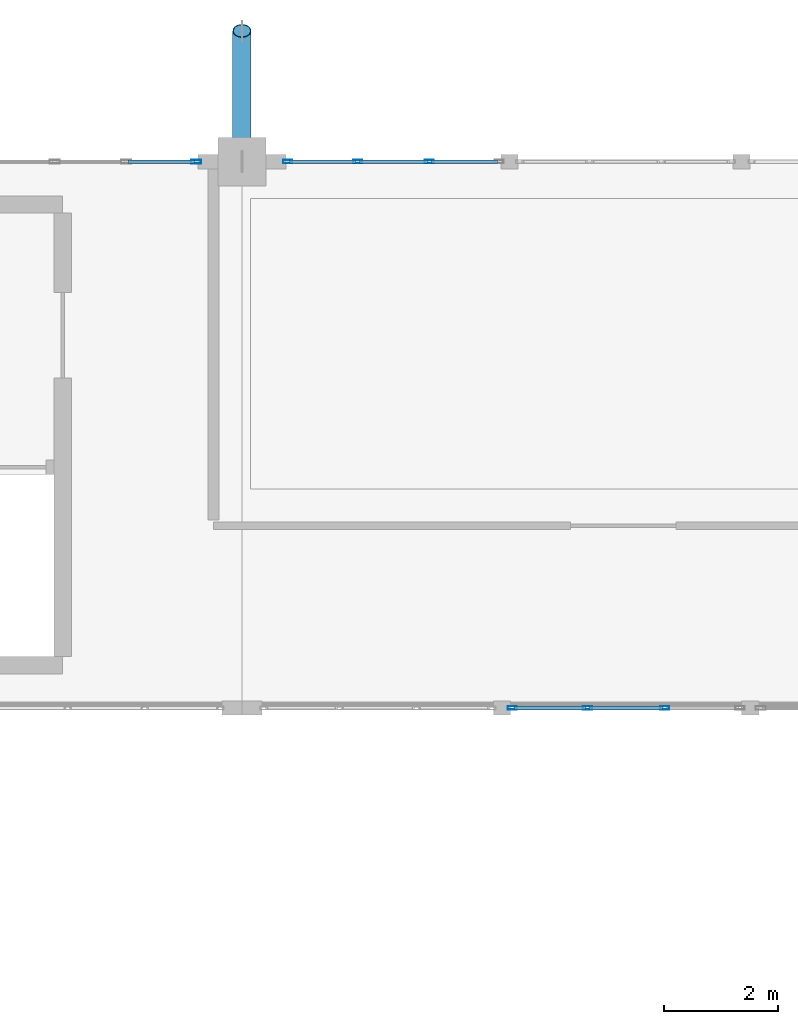
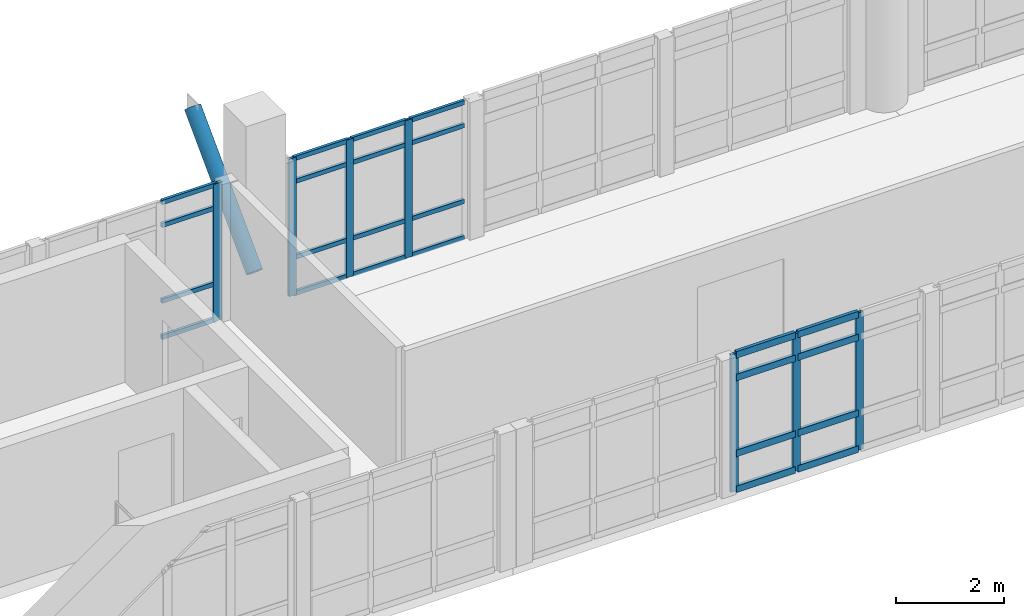
# One storey, part 12 of 37: 32 members, 3 elements without a shape of their own.
"""IFC4 building model written with IfcOpenShell, lengths in metres."""

from ifc_helpers import new_model, si_unit, direction, frame, origin, origin_2d, place, context, subcontext, project, spatial, hollow_rectangle, hollow_circle, extrude, material, layer, layer_set, material_profile, profile_set, type_object, element, aggregate, save


model = new_model("IFC4")

# Units and contexts
model_context = context("Model", 3, precision=1e-05, world=origin(), true_north=direction((0.0, 1.0)))
body_context = subcontext(model_context, "Body", "Model", "MODEL_VIEW")
ifc_project = project(units=[si_unit("LENGTHUNIT", "METRE"), si_unit("AREAUNIT", "SQUARE_METRE"), si_unit("VOLUMEUNIT", "CUBIC_METRE"), si_unit("PLANEANGLEUNIT", "RADIAN"), si_unit("MASSUNIT", "GRAM", prefix="KILO")], contexts=[model_context])

# Site, building, storey
site_placement = place(None, origin())
site = spatial("IfcSite", under=ifc_project, at=site_placement, CompositionType="ELEMENT")
building_placement = place(site_placement, origin())
building = spatial("IfcBuilding", under=site, at=building_placement, Name="Fikremerkos Civic Library", CompositionType="ELEMENT")
storey_placement = place(building_placement, frame((0.0, 0.0, 23.39990234375)))
storey = spatial("IfcBuildingStorey", under=building, at=storey_placement, Name="L05", CompositionType="ELEMENT", Elevation=23.39990234375)

# Curtain wall, member
ifc_material_1 = material(Name="Anodized aluminium Frame", Category="aluminium")
ifc_layer_1 = layer(ifc_material_1, 0.159912109375, Name="Anodized aluminium Frame")
ifc_layer_set_1 = layer_set([ifc_layer_1], Name="Anodized aluminium Frame")
curtain_wall_type_1 = type_object("IfcCurtainWallType", Name="Unitised curtain wall CW-13 3700x3200", PredefinedType="USERDEFINED", material=ifc_layer_set_1)
curtain_wall_1_placement = place(storey_placement, origin())
curtain_wall_1 = element("IfcCurtainWall", 1, at=curtain_wall_1_placement, inside=storey, type_object=curtain_wall_type_1, Name="Unitised curtain wall CW-13 L05 #265", ObjectType="UNITISED CURTAIN WALL", PredefinedType="USERDEFINED")
ifc_material_profile_1 = material_profile(ifc_material_1, hollow_rectangle(XDim=0.06494140625, YDim=0.179931640625, WallThickness=0.00439453125, at=origin_2d()), Name="ALU 180x65x4.5")
ifc_profile_set_1 = profile_set([ifc_material_profile_1], Name="Anodized aluminium Frame")
member_type_1 = type_object("IfcMemberType", Name="Curtain mullion CWM-01 ALU 180x65x4.5", PredefinedType="MULLION", material=ifc_profile_set_1)
member_1_placement = place(storey_placement, frame((58.89453125, 31.199951171875, 0.0), z_axis=(0.0, 0.0, 1.0), x_axis=(0.0, 1.0, 0.0)))
member_1 = element("IfcMember", 2, at=member_1_placement, type_object=member_type_1, Name="CW-13 mullion 4", PredefinedType="MULLION", context=body_context, shape_type="SweptSolid", body=[
    extrude(hollow_rectangle(XDim=0.06494140625, YDim=0.179931640625, WallThickness=0.00439453125, at=origin_2d()), origin(), (0.0, 0.0, 1.0), 3.1201171875),
])

# Curtain wall, members
ifc_layer_2 = layer(ifc_material_1, 0.159912109375, Name="Anodized aluminium Frame")
ifc_layer_set_2 = layer_set([ifc_layer_2], Name="Anodized aluminium Frame")
curtain_wall_type_2 = type_object("IfcCurtainWallType", Name="Unitised curtain wall CW-14 4100x3200", PredefinedType="USERDEFINED", material=ifc_layer_set_2)
curtain_wall_2_placement = place(storey_placement, origin())
curtain_wall_2 = element("IfcCurtainWall", 3, at=curtain_wall_2_placement, inside=storey, type_object=curtain_wall_type_2, Name="Unitised curtain wall CW-14 L05 #266", ObjectType="UNITISED CURTAIN WALL", PredefinedType="USERDEFINED")
ifc_material_profile_2 = material_profile(ifc_material_1, hollow_rectangle(XDim=0.06005859375, YDim=0.159912109375, WallThickness=0.00390625, at=origin_2d()), Name="ALU 160x60x4")
ifc_profile_set_2 = profile_set([ifc_material_profile_2], Name="Anodized aluminium Frame")
member_type_2 = type_object("IfcMemberType", Name="Curtain mullion CWM-02 ALU 160x60x4", PredefinedType="MULLION", material=ifc_profile_set_2)
member_2_placement = place(storey_placement, frame((60.5029296875, 31.199951171875, 0.0), z_axis=(0.0, 0.0, 1.0), x_axis=(0.0, 1.0, 0.0)))
member_2 = element("IfcMember", 4, at=member_2_placement, type_object=member_type_2, Name="CW-14 mullion 1", PredefinedType="MULLION", context=body_context, shape_type="SweptSolid", body=[
    extrude(hollow_rectangle(XDim=0.06005859375, YDim=0.159912109375, WallThickness=0.00390625, at=origin_2d()), origin(), (0.0, 0.0, 1.0), 3.1201171875),
])
member_3_placement = place(storey_placement, frame((61.731689453125, 31.199951171875, 0.0), z_axis=(0.0, 0.0, 1.0), x_axis=(0.0, 1.0, 0.0)))
member_3 = element("IfcMember", 5, at=member_3_placement, type_object=member_type_2, Name="CW-14 mullion 2", PredefinedType="MULLION", context=body_context, shape_type="SweptSolid", body=[
    extrude(hollow_rectangle(XDim=0.06005859375, YDim=0.159912109375, WallThickness=0.00390625, at=origin_2d()), origin(), (0.0, 0.0, 1.0), 3.1201171875),
])
member_4_placement = place(storey_placement, frame((62.990478515625, 31.199951171875, 0.0), z_axis=(0.0, 0.0, 1.0), x_axis=(0.0, 1.0, 0.0)))
member_4 = element("IfcMember", 6, at=member_4_placement, type_object=member_type_2, Name="CW-14 mullion 3", PredefinedType="MULLION", context=body_context, shape_type="SweptSolid", body=[
    extrude(hollow_rectangle(XDim=0.06005859375, YDim=0.159912109375, WallThickness=0.00390625, at=origin_2d()), origin(), (0.0, 0.0, 1.0), 3.1201171875),
])

ifc_layer_3 = layer(ifc_material_1, 0.159912109375, Name="Anodized aluminium Frame")
ifc_layer_set_3 = layer_set([ifc_layer_3], Name="Anodized aluminium Frame")
curtain_wall_type_3 = type_object("IfcCurtainWallType", Name="Unitised curtain wall CW-02 3900x3600", PredefinedType="USERDEFINED", material=ifc_layer_set_3)
curtain_wall_3_placement = place(storey_placement, origin())
curtain_wall_3 = element("IfcCurtainWall", 7, at=curtain_wall_3_placement, inside=storey, type_object=curtain_wall_type_3, Name="Unitised curtain wall CW-02 L05 #290", ObjectType="UNITISED CURTAIN WALL", PredefinedType="USERDEFINED")
member_5_placement = place(storey_placement, frame((67.12744140625, 21.60009765625, 0.0), z_axis=(0.0, 0.0, 1.0), x_axis=(0.0, -1.0, 0.0)))
member_5 = element("IfcMember", 8, at=member_5_placement, type_object=member_type_2, Name="CW-02 mullion 2", PredefinedType="MULLION", context=body_context, shape_type="SweptSolid", body=[
    extrude(hollow_rectangle(XDim=0.06005859375, YDim=0.159912109375, WallThickness=0.00390625, at=origin_2d()), origin(), (0.0, 0.0, 1.0), 3.1201171875),
])
member_6_placement = place(storey_placement, frame((65.7724609375, 21.60009765625, 0.0), z_axis=(0.0, 0.0, 1.0), x_axis=(0.0, -1.0, 0.0)))
member_6 = element("IfcMember", 9, at=member_6_placement, type_object=member_type_2, Name="CW-02 mullion 3", PredefinedType="MULLION", context=body_context, shape_type="SweptSolid", body=[
    extrude(hollow_rectangle(XDim=0.06005859375, YDim=0.159912109375, WallThickness=0.00390625, at=origin_2d()), origin(), (0.0, 0.0, 1.0), 3.1201171875),
])
member_7_placement = place(storey_placement, frame((64.447265625, 21.60009765625, 0.0), z_axis=(0.0, 0.0, 1.0), x_axis=(0.0, -1.0, 0.0)))
member_7 = element("IfcMember", 10, at=member_7_placement, type_object=member_type_2, Name="CW-02 mullion 4", PredefinedType="MULLION", context=body_context, shape_type="SweptSolid", body=[
    extrude(hollow_rectangle(XDim=0.06005859375, YDim=0.159912109375, WallThickness=0.00390625, at=origin_2d()), origin(), (0.0, 0.0, 1.0), 3.1201171875),
])
ifc_material_profile_3 = material_profile(ifc_material_1, hollow_rectangle(XDim=0.070068359375, YDim=0.14990234375, WallThickness=0.00439453125, at=origin_2d()), Name="ALU 150x70x4.5")
ifc_profile_set_3 = profile_set([ifc_material_profile_3], Name="Anodized aluminium Frame")
member_type_3 = type_object("IfcMemberType", Name="Curtain transom CWT-01 ALU 150x70x4.5", PredefinedType="USERDEFINED", material=ifc_profile_set_3)
member_8_placement = place(storey_placement, frame((67.09765625, 21.60009765625, 0.03515625), z_axis=(-1.0, 0.0, 0.0), x_axis=(0.0, -1.0, 0.0)))
member_8 = element("IfcMember", 11, at=member_8_placement, type_object=member_type_3, Name="CW-02 transom 2.1", ObjectType="TRANSOM", PredefinedType="USERDEFINED", context=body_context, shape_type="SweptSolid", body=[
    extrude(hollow_rectangle(XDim=0.070068359375, YDim=0.14990234375, WallThickness=0.00439453125, at=origin_2d()), origin(), (0.0, 0.0, 1.0), 1.295166015625),
])
member_9_placement = place(storey_placement, frame((67.09765625, 21.60009765625, 0.85009765625), z_axis=(-1.0, 0.0, 0.0), x_axis=(0.0, -1.0, 0.0)))
member_9 = element("IfcMember", 12, at=member_9_placement, type_object=member_type_3, Name="CW-02 transom 2.2", ObjectType="TRANSOM", PredefinedType="USERDEFINED", context=body_context, shape_type="SweptSolid", body=[
    extrude(hollow_rectangle(XDim=0.070068359375, YDim=0.14990234375, WallThickness=0.00439453125, at=origin_2d()), origin(), (0.0, 0.0, 1.0), 1.295166015625),
])
member_10_placement = place(storey_placement, frame((67.09765625, 21.60009765625, 2.570068359375), z_axis=(-1.0, 0.0, 0.0), x_axis=(0.0, -1.0, 0.0)))
member_10 = element("IfcMember", 13, at=member_10_placement, type_object=member_type_3, Name="CW-02 transom 2.3", ObjectType="TRANSOM", PredefinedType="USERDEFINED", context=body_context, shape_type="SweptSolid", body=[
    extrude(hollow_rectangle(XDim=0.070068359375, YDim=0.14990234375, WallThickness=0.00439453125, at=origin_2d()), origin(), (0.0, 0.0, 1.0), 1.295166015625),
])
member_11_placement = place(storey_placement, frame((67.09765625, 21.60009765625, 3.085205078125), z_axis=(-1.0, 0.0, 0.0), x_axis=(0.0, -1.0, 0.0)))
member_11 = element("IfcMember", 14, at=member_11_placement, type_object=member_type_3, Name="CW-02 transom 2.4", ObjectType="TRANSOM", PredefinedType="USERDEFINED", context=body_context, shape_type="SweptSolid", body=[
    extrude(hollow_rectangle(XDim=0.070068359375, YDim=0.14990234375, WallThickness=0.00439453125, at=origin_2d()), origin(), (0.0, 0.0, 1.0), 1.295166015625),
])
member_12_placement = place(storey_placement, frame((65.742431640625, 21.60009765625, 0.03515625), z_axis=(-1.0, 0.0, 0.0), x_axis=(0.0, -1.0, 0.0)))
member_12 = element("IfcMember", 15, at=member_12_placement, type_object=member_type_3, Name="CW-02 transom 3.1", ObjectType="TRANSOM", PredefinedType="USERDEFINED", context=body_context, shape_type="SweptSolid", body=[
    extrude(hollow_rectangle(XDim=0.070068359375, YDim=0.14990234375, WallThickness=0.00439453125, at=origin_2d()), origin(), (0.0, 0.0, 1.0), 1.26513671875),
])
member_13_placement = place(storey_placement, frame((65.742431640625, 21.60009765625, 0.85009765625), z_axis=(-1.0, 0.0, 0.0), x_axis=(0.0, -1.0, 0.0)))
member_13 = element("IfcMember", 16, at=member_13_placement, type_object=member_type_3, Name="CW-02 transom 3.2", ObjectType="TRANSOM", PredefinedType="USERDEFINED", context=body_context, shape_type="SweptSolid", body=[
    extrude(hollow_rectangle(XDim=0.070068359375, YDim=0.14990234375, WallThickness=0.00439453125, at=origin_2d()), origin(), (0.0, 0.0, 1.0), 1.26513671875),
])
member_14_placement = place(storey_placement, frame((65.742431640625, 21.60009765625, 2.570068359375), z_axis=(-1.0, 0.0, 0.0), x_axis=(0.0, -1.0, 0.0)))
member_14 = element("IfcMember", 17, at=member_14_placement, type_object=member_type_3, Name="CW-02 transom 3.3", ObjectType="TRANSOM", PredefinedType="USERDEFINED", context=body_context, shape_type="SweptSolid", body=[
    extrude(hollow_rectangle(XDim=0.070068359375, YDim=0.14990234375, WallThickness=0.00439453125, at=origin_2d()), origin(), (0.0, 0.0, 1.0), 1.26513671875),
])
member_15_placement = place(storey_placement, frame((65.742431640625, 21.60009765625, 3.085205078125), z_axis=(-1.0, 0.0, 0.0), x_axis=(0.0, -1.0, 0.0)))
member_15 = element("IfcMember", 18, at=member_15_placement, type_object=member_type_3, Name="CW-02 transom 3.4", ObjectType="TRANSOM", PredefinedType="USERDEFINED", context=body_context, shape_type="SweptSolid", body=[
    extrude(hollow_rectangle(XDim=0.070068359375, YDim=0.14990234375, WallThickness=0.00439453125, at=origin_2d()), origin(), (0.0, 0.0, 1.0), 1.26513671875),
])
aggregate(curtain_wall_3, [member_5, member_6, member_7, member_8, member_9, member_10, member_11, member_12, member_13, member_14, member_15])

# Member
ifc_material_profile_4 = material_profile(ifc_material_1, hollow_rectangle(XDim=0.06005859375, YDim=0.10009765625, WallThickness=0.00390625, at=origin_2d()), Name="ALU 100x60x4")
ifc_profile_set_4 = profile_set([ifc_material_profile_4], Name="Anodized aluminium Frame")
member_type_4 = type_object("IfcMemberType", Name="Curtain transom CWT-03 ALU 100x60x4", PredefinedType="USERDEFINED", material=ifc_profile_set_4)
member_16_placement = place(storey_placement, frame((57.70068359375, 31.199951171875, 0.030029296875), z_axis=(1.0, 0.0, 0.0), x_axis=(0.0, 1.0, 0.0)))
member_16 = element("IfcMember", 19, at=member_16_placement, type_object=member_type_4, Name="CW-13 transom 3.1", ObjectType="TRANSOM", PredefinedType="USERDEFINED", context=body_context, shape_type="SweptSolid", body=[
    extrude(hollow_rectangle(XDim=0.06005859375, YDim=0.10009765625, WallThickness=0.00390625, at=origin_2d()), origin(), (0.0, 0.0, 1.0), 1.161376953125),
])

member_17_placement = place(storey_placement, frame((57.70068359375, 31.199951171875, 0.85009765625), z_axis=(1.0, 0.0, 0.0), x_axis=(0.0, 1.0, 0.0)))
member_17 = element("IfcMember", 20, at=member_17_placement, type_object=member_type_4, Name="CW-13 transom 3.2", ObjectType="TRANSOM", PredefinedType="USERDEFINED", context=body_context, shape_type="SweptSolid", body=[
    extrude(hollow_rectangle(XDim=0.06005859375, YDim=0.10009765625, WallThickness=0.00390625, at=origin_2d()), origin(), (0.0, 0.0, 1.0), 1.161376953125),
])

member_18_placement = place(storey_placement, frame((57.70068359375, 31.199951171875, 2.570068359375), z_axis=(1.0, 0.0, 0.0), x_axis=(0.0, 1.0, 0.0)))
member_18 = element("IfcMember", 21, at=member_18_placement, type_object=member_type_4, Name="CW-13 transom 3.3", ObjectType="TRANSOM", PredefinedType="USERDEFINED", context=body_context, shape_type="SweptSolid", body=[
    extrude(hollow_rectangle(XDim=0.06005859375, YDim=0.10009765625, WallThickness=0.00390625, at=origin_2d()), origin(), (0.0, 0.0, 1.0), 1.161376953125),
])

member_19_placement = place(storey_placement, frame((57.70068359375, 31.199951171875, 3.090087890625), z_axis=(1.0, 0.0, 0.0), x_axis=(0.0, 1.0, 0.0)))
member_19 = element("IfcMember", 22, at=member_19_placement, type_object=member_type_4, Name="CW-13 transom 3.4", ObjectType="TRANSOM", PredefinedType="USERDEFINED", context=body_context, shape_type="SweptSolid", body=[
    extrude(hollow_rectangle(XDim=0.06005859375, YDim=0.10009765625, WallThickness=0.00390625, at=origin_2d()), origin(), (0.0, 0.0, 1.0), 1.161376953125),
])

aggregate(curtain_wall_1, [member_1, member_16, member_17, member_18, member_19])

member_20_placement = place(storey_placement, frame((60.532958984375, 31.199951171875, 0.030029296875), z_axis=(1.0, 0.0, 0.0), x_axis=(0.0, 1.0, 0.0)))
member_20 = element("IfcMember", 23, at=member_20_placement, type_object=member_type_4, Name="CW-14 transom 1.1", ObjectType="TRANSOM", PredefinedType="USERDEFINED", context=body_context, shape_type="SweptSolid", body=[
    extrude(hollow_rectangle(XDim=0.06005859375, YDim=0.10009765625, WallThickness=0.00390625, at=origin_2d()), origin(), (0.0, 0.0, 1.0), 1.168701171875),
])

member_21_placement = place(storey_placement, frame((60.532958984375, 31.199951171875, 0.85009765625), z_axis=(1.0, 0.0, 0.0), x_axis=(0.0, 1.0, 0.0)))
member_21 = element("IfcMember", 24, at=member_21_placement, type_object=member_type_4, Name="CW-14 transom 1.2", ObjectType="TRANSOM", PredefinedType="USERDEFINED", context=body_context, shape_type="SweptSolid", body=[
    extrude(hollow_rectangle(XDim=0.06005859375, YDim=0.10009765625, WallThickness=0.00390625, at=origin_2d()), origin(), (0.0, 0.0, 1.0), 1.168701171875),
])

member_22_placement = place(storey_placement, frame((60.532958984375, 31.199951171875, 2.570068359375), z_axis=(1.0, 0.0, 0.0), x_axis=(0.0, 1.0, 0.0)))
member_22 = element("IfcMember", 25, at=member_22_placement, type_object=member_type_4, Name="CW-14 transom 1.3", ObjectType="TRANSOM", PredefinedType="USERDEFINED", context=body_context, shape_type="SweptSolid", body=[
    extrude(hollow_rectangle(XDim=0.06005859375, YDim=0.10009765625, WallThickness=0.00390625, at=origin_2d()), origin(), (0.0, 0.0, 1.0), 1.168701171875),
])

member_23_placement = place(storey_placement, frame((60.532958984375, 31.199951171875, 3.090087890625), z_axis=(1.0, 0.0, 0.0), x_axis=(0.0, 1.0, 0.0)))
member_23 = element("IfcMember", 26, at=member_23_placement, type_object=member_type_4, Name="CW-14 transom 1.4", ObjectType="TRANSOM", PredefinedType="USERDEFINED", context=body_context, shape_type="SweptSolid", body=[
    extrude(hollow_rectangle(XDim=0.06005859375, YDim=0.10009765625, WallThickness=0.00390625, at=origin_2d()), origin(), (0.0, 0.0, 1.0), 1.168701171875),
])

member_24_placement = place(storey_placement, frame((61.76171875, 31.199951171875, 0.030029296875), z_axis=(1.0, 0.0, 0.0), x_axis=(0.0, 1.0, 0.0)))
member_24 = element("IfcMember", 27, at=member_24_placement, type_object=member_type_4, Name="CW-14 transom 2.1", ObjectType="TRANSOM", PredefinedType="USERDEFINED", context=body_context, shape_type="SweptSolid", body=[
    extrude(hollow_rectangle(XDim=0.06005859375, YDim=0.10009765625, WallThickness=0.00390625, at=origin_2d()), origin(), (0.0, 0.0, 1.0), 1.19873046875),
])

member_25_placement = place(storey_placement, frame((61.76171875, 31.199951171875, 0.85009765625), z_axis=(1.0, 0.0, 0.0), x_axis=(0.0, 1.0, 0.0)))
member_25 = element("IfcMember", 28, at=member_25_placement, type_object=member_type_4, Name="CW-14 transom 2.2", ObjectType="TRANSOM", PredefinedType="USERDEFINED", context=body_context, shape_type="SweptSolid", body=[
    extrude(hollow_rectangle(XDim=0.06005859375, YDim=0.10009765625, WallThickness=0.00390625, at=origin_2d()), origin(), (0.0, 0.0, 1.0), 1.19873046875),
])

member_26_placement = place(storey_placement, frame((61.76171875, 31.199951171875, 2.570068359375), z_axis=(1.0, 0.0, 0.0), x_axis=(0.0, 1.0, 0.0)))
member_26 = element("IfcMember", 29, at=member_26_placement, type_object=member_type_4, Name="CW-14 transom 2.3", ObjectType="TRANSOM", PredefinedType="USERDEFINED", context=body_context, shape_type="SweptSolid", body=[
    extrude(hollow_rectangle(XDim=0.06005859375, YDim=0.10009765625, WallThickness=0.00390625, at=origin_2d()), origin(), (0.0, 0.0, 1.0), 1.19873046875),
])

member_27_placement = place(storey_placement, frame((61.76171875, 31.199951171875, 3.090087890625), z_axis=(1.0, 0.0, 0.0), x_axis=(0.0, 1.0, 0.0)))
member_27 = element("IfcMember", 30, at=member_27_placement, type_object=member_type_4, Name="CW-14 transom 2.4", ObjectType="TRANSOM", PredefinedType="USERDEFINED", context=body_context, shape_type="SweptSolid", body=[
    extrude(hollow_rectangle(XDim=0.06005859375, YDim=0.10009765625, WallThickness=0.00390625, at=origin_2d()), origin(), (0.0, 0.0, 1.0), 1.19873046875),
])

member_28_placement = place(storey_placement, frame((63.0205078125, 31.199951171875, 0.030029296875), z_axis=(1.0, 0.0, 0.0), x_axis=(0.0, 1.0, 0.0)))
member_28 = element("IfcMember", 31, at=member_28_placement, type_object=member_type_4, Name="CW-14 transom 3.1", ObjectType="TRANSOM", PredefinedType="USERDEFINED", context=body_context, shape_type="SweptSolid", body=[
    extrude(hollow_rectangle(XDim=0.06005859375, YDim=0.10009765625, WallThickness=0.00390625, at=origin_2d()), origin(), (0.0, 0.0, 1.0), 1.168701171875),
])

member_29_placement = place(storey_placement, frame((63.0205078125, 31.199951171875, 0.85009765625), z_axis=(1.0, 0.0, 0.0), x_axis=(0.0, 1.0, 0.0)))
member_29 = element("IfcMember", 32, at=member_29_placement, type_object=member_type_4, Name="CW-14 transom 3.2", ObjectType="TRANSOM", PredefinedType="USERDEFINED", context=body_context, shape_type="SweptSolid", body=[
    extrude(hollow_rectangle(XDim=0.06005859375, YDim=0.10009765625, WallThickness=0.00390625, at=origin_2d()), origin(), (0.0, 0.0, 1.0), 1.168701171875),
])

member_30_placement = place(storey_placement, frame((63.0205078125, 31.199951171875, 2.570068359375), z_axis=(1.0, 0.0, 0.0), x_axis=(0.0, 1.0, 0.0)))
member_30 = element("IfcMember", 33, at=member_30_placement, type_object=member_type_4, Name="CW-14 transom 3.3", ObjectType="TRANSOM", PredefinedType="USERDEFINED", context=body_context, shape_type="SweptSolid", body=[
    extrude(hollow_rectangle(XDim=0.06005859375, YDim=0.10009765625, WallThickness=0.00390625, at=origin_2d()), origin(), (0.0, 0.0, 1.0), 1.168701171875),
])

member_31_placement = place(storey_placement, frame((63.0205078125, 31.199951171875, 3.090087890625), z_axis=(1.0, 0.0, 0.0), x_axis=(0.0, 1.0, 0.0)))
member_31 = element("IfcMember", 34, at=member_31_placement, type_object=member_type_4, Name="CW-14 transom 3.4", ObjectType="TRANSOM", PredefinedType="USERDEFINED", context=body_context, shape_type="SweptSolid", body=[
    extrude(hollow_rectangle(XDim=0.06005859375, YDim=0.10009765625, WallThickness=0.00390625, at=origin_2d()), origin(), (0.0, 0.0, 1.0), 1.168701171875),
])

aggregate(curtain_wall_2, [member_2, member_3, member_4, member_20, member_21, member_22, member_23, member_24, member_25, member_26, member_27, member_28, member_29, member_30, member_31])

ifc_material_2 = material(Name="Steel S355", Category="steel")
ifc_material_profile_5 = material_profile(ifc_material_2, hollow_circle(Radius=0.161865234375, WallThickness=0.012451171875, at=origin_2d()), Name="CHS 323.9x12.5")
ifc_profile_set_5 = profile_set([ifc_material_profile_5], Name="Steel S355")
member_type_5 = type_object("IfcMemberType", Name="Raking strut STR-03 CHS 323.9x12.5", PredefinedType="STRUT", material=ifc_profile_set_5)
member_32_placement = place(storey_placement, frame((59.699951171875, 31.199951171875, 0.800048828125), z_axis=(0.0, 0.69945578618, 0.714675872812), x_axis=(-1.0, 0.0, 0.0)))
element("IfcMember", 35, at=member_32_placement, inside=storey, type_object=member_type_5, Name="Raking valley overhang strut STR-03 L05 X=59.7", PredefinedType="STRUT", context=body_context, shape_type="SweptSolid", body=[
    extrude(hollow_circle(Radius=0.161865234375, WallThickness=0.012451171875, at=origin_2d()), origin(), (0.0, 0.0, 1.0), 3.288330078125),
])

save(model, "model.ifc")
